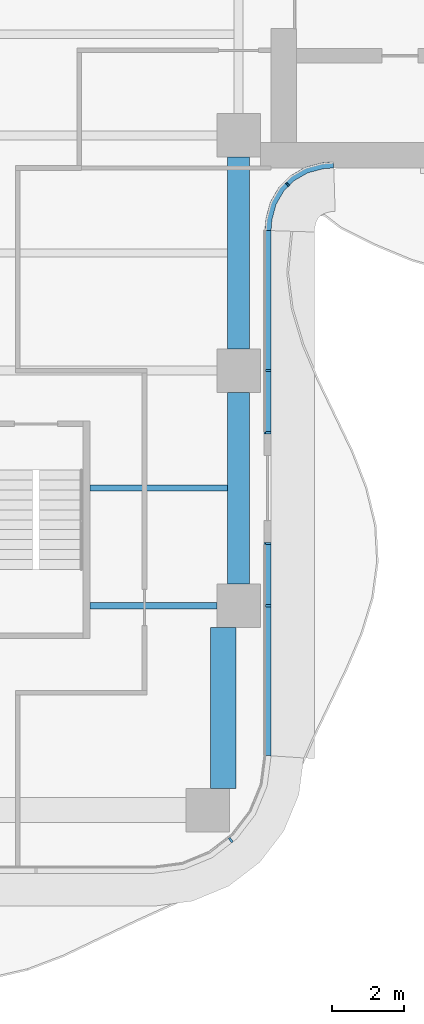
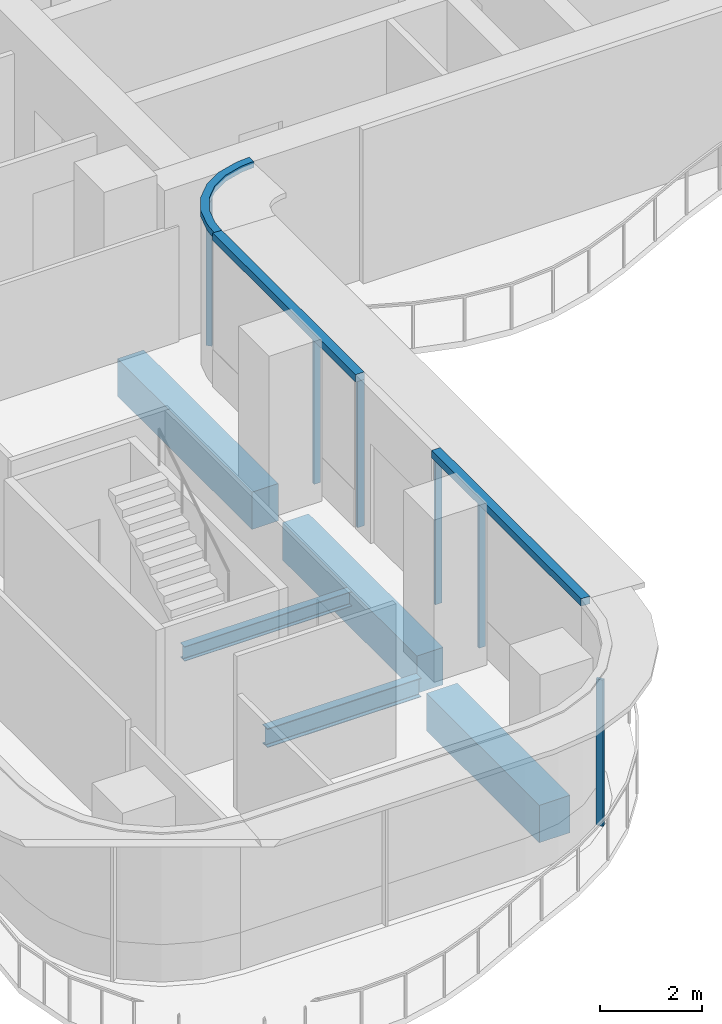
# One storey, part 5 of 17: 9 members, 5 beams, 4 elements without a shape of their own.
"""IFC4 building model written with IfcOpenShell, lengths in metres."""

from ifc_helpers import new_model, si_unit, direction, frame, origin, origin_2d, place, context, subcontext, project, spatial, polyline, rectangle, i_section, outline, extrude, source, transform, mapped, material, layer, layer_set, material_profile, profile_set, type_object, element, aggregate, save


model = new_model("IFC4")

# Units and contexts
model_context = context("Model", 3, precision=1e-05, world=origin(), true_north=direction((0.0, 1.0)))
body_context = subcontext(model_context, "Body", "Model", "MODEL_VIEW")
ifc_project = project(units=[si_unit("LENGTHUNIT", "METRE"), si_unit("AREAUNIT", "SQUARE_METRE"), si_unit("VOLUMEUNIT", "CUBIC_METRE"), si_unit("PLANEANGLEUNIT", "RADIAN"), si_unit("MASSUNIT", "GRAM", prefix="KILO")], contexts=[model_context])

# Site, building, storey
site_placement = place(None, origin())
site = spatial("IfcSite", under=ifc_project, at=site_placement, CompositionType="ELEMENT")
building_placement = place(site_placement, origin())
building = spatial("IfcBuilding", under=site, at=building_placement, Name="Trellis Farm Tower", CompositionType="ELEMENT")
storey_placement = place(building_placement, frame((0.0, 0.0, 165.89990234375)))
storey = spatial("IfcBuildingStorey", under=building, at=storey_placement, Name="L35", CompositionType="ELEMENT", Elevation=165.89990234375)

# Beams
ifc_material_1 = material(Name="Steel S355", Category="steel")
ifc_material_profile_1 = material_profile(ifc_material_1, i_section(OverallWidth=0.1904296875, OverallDepth=0.45703125, WebThickness=0.009033203125, FlangeThickness=0.014404296875, FilletRadius=0.01025390625, at=origin_2d()), Name="UB 457x191x74")
ifc_profile_set_1 = profile_set([ifc_material_profile_1], Name="Steel S355")
beam_type_1 = type_object("IfcBeamType", Name="UB 457x191x74", PredefinedType="BEAM", material=ifc_profile_set_1)
shared_shape_1 = source(origin(), body_context, "Body", "SweptSolid", [
    extrude(i_section(OverallWidth=0.1904296875, OverallDepth=0.45703125, WebThickness=0.009033203125, FlangeThickness=0.014404296875, FilletRadius=0.01025390625, at=origin_2d()), origin(), (0.0, 0.0, 1.0), 3.5),
])
beam_1_placement = place(storey_placement, frame((1.5, -18.60009765625, -0.428466796875), z_axis=(1.0, 0.0, 0.0), x_axis=(0.0, 1.0, 0.0)))
element("IfcBeam", 1, at=beam_1_placement, inside=storey, type_object=beam_type_1, Name="Girder", PredefinedType="BEAM", context=body_context, shape_type="MappedRepresentation", body=[
    mapped(shared_shape_1, transform((0.0, 0.0, 0.0))),
])
ifc_material_2 = material(Name="Concrete C60/75", Category="concrete")
ifc_material_profile_2 = material_profile(ifc_material_2, rectangle(XDim=0.60009765625, YDim=0.89990234375, at=origin_2d()), Name="RC spandrel beam 600x900 C60/75")
ifc_profile_set_2 = profile_set([ifc_material_profile_2], Name="Concrete C60/75")
beam_type_2 = type_object("IfcBeamType", Name="RC spandrel beam 600x900 C60/75", PredefinedType="SPANDREL", material=ifc_profile_set_2)
shared_shape_2 = source(origin(), body_context, "Body", "SweptSolid", [
    extrude(rectangle(XDim=0.60009765625, YDim=0.89990234375, at=origin_2d()), origin(), (0.0, 0.0, 1.0), 5.300048828125),
])
for number, where, z_axis, x_axis, name in (
    (2, (5.60009765625, -18.0, -0.64990234375), (0.0, 1.0, 0.0), (-1.0, 0.0, 0.0), "Girder"),
    (3, (5.60009765625, -11.5, -0.64990234375), (0.0, 1.0, 0.0), (-1.0, 0.0, 0.0), "Girder"),
):
    element("IfcBeam", number, at=place(storey_placement, frame(where, z_axis=z_axis, x_axis=x_axis)), inside=storey, type_object=beam_type_2, Name=name, PredefinedType="SPANDREL", context=body_context, shape_type="MappedRepresentation", body=[
        mapped(shared_shape_2, transform((0.0, 0.0, 0.0))),
    ])
ifc_material_profile_3 = material_profile(ifc_material_2, rectangle(XDim=0.699951171875, YDim=0.89990234375, at=origin_2d()), Name="RC spandrel beam 700x900 C60/75")
ifc_profile_set_3 = profile_set([ifc_material_profile_3], Name="Concrete C60/75")
beam_type_3 = type_object("IfcBeamType", Name="RC spandrel beam 700x900 C60/75", PredefinedType="SPANDREL", material=ifc_profile_set_3)
shared_shape_3 = source(origin(), body_context, "Body", "SweptSolid", [
    extrude(rectangle(XDim=0.699951171875, YDim=0.89990234375, at=origin_2d()), origin(), (0.0, 0.0, 1.0), 4.449951171875),
])
beam_2_placement = place(storey_placement, frame((5.175048828125, -23.64990234375, -0.64990234375), z_axis=(0.0, 1.0, 0.0), x_axis=(-1.0, 0.0, 0.0)))
element("IfcBeam", 4, at=beam_2_placement, inside=storey, type_object=beam_type_3, Name="Girder", PredefinedType="SPANDREL", context=body_context, shape_type="MappedRepresentation", body=[
    mapped(shared_shape_3, transform((0.0, 0.0, 0.0))),
])
ifc_material_profile_4 = material_profile(ifc_material_1, i_section(OverallWidth=0.17138671875, OverallDepth=0.35498046875, WebThickness=0.00732421875, FlangeThickness=0.011474609375, FilletRadius=0.01025390625, at=origin_2d()), Name="UB 356x171x51")
ifc_profile_set_4 = profile_set([ifc_material_profile_4], Name="Steel S355")
beam_type_4 = type_object("IfcBeamType", Name="UB 356x171x51 joist", PredefinedType="JOIST", material=ifc_profile_set_4)
shared_shape_4 = source(origin(), body_context, "Body", "SweptSolid", [
    extrude(i_section(OverallWidth=0.17138671875, OverallDepth=0.35498046875, WebThickness=0.00732421875, FlangeThickness=0.011474609375, FilletRadius=0.01025390625, at=origin_2d()), origin(), (0.0, 0.0, 1.0), 3.800048828125),
])
beam_3_placement = place(storey_placement, frame((1.5, -15.35009765625, -0.37744140625), z_axis=(1.0, 0.0, 0.0), x_axis=(0.0, 1.0, 0.0)))
element("IfcBeam", 5, at=beam_3_placement, inside=storey, type_object=beam_type_4, Name="Floor beam", PredefinedType="JOIST", context=body_context, shape_type="MappedRepresentation", body=[
    mapped(shared_shape_4, transform((0.0, 0.0, 0.0))),
])

# Curtain wall, member
ifc_material_3 = material(Name="Aluminium and glass curtain wall", Category="aluminium")
ifc_layer_1 = layer(ifc_material_3, 0.18994140625)
ifc_layer_set_1 = layer_set([ifc_layer_1], Name="RIBBON CURTAIN WALL CW1")
curtain_wall_type_1 = type_object("IfcCurtainWallType", Name="RIBBON CURTAIN WALL CW1", PredefinedType="NOTDEFINED", material=ifc_layer_set_1)
placement_1 = place(storey_placement, origin())
curtain_wall_1 = element("IfcCurtainWall", 6, at=placement_1, inside=storey, type_object=curtain_wall_type_1, Name="CW1 003", PredefinedType="NOTDEFINED")
ifc_material_4 = material(Name="Aluminium extrusion 6063-T6", Category="aluminium")
ifc_material_profile_5 = material_profile(ifc_material_4, rectangle(XDim=0.06005859375, YDim=0.14990234375, at=origin_2d()), Name="MULLION 60x150")
ifc_profile_set_5 = profile_set([ifc_material_profile_5], Name="Aluminium extrusion 6063-T6")
member_type_1 = type_object("IfcMemberType", Name="CW1 MULLION 60x150", PredefinedType="MULLION", material=ifc_profile_set_5)
shared_shape_5 = source(origin(), body_context, "Body", "SweptSolid", [
    extrude(rectangle(XDim=0.06005859375, YDim=0.14990234375, at=origin_2d()), origin(), (0.0, 0.0, 1.0), 3.52001953125),
])
member_1_placement = place(storey_placement, frame((5.385498046875, -25.078369140625, 0.0), z_axis=(0.0, 0.0, 1.0), x_axis=(0.793353340291, 0.608761429009, 0.0)))
member_1 = element("IfcMember", 7, at=member_1_placement, type_object=member_type_1, Name="MU1 003-02", PredefinedType="MULLION", context=body_context, shape_type="MappedRepresentation", body=[
    mapped(shared_shape_5, transform((0.0, 0.0, 0.0))),
])
aggregate(curtain_wall_1, [member_1])

# Curtain wall, members
curtain_wall_2 = element("IfcCurtainWall", 8, at=placement_1, inside=storey, type_object=curtain_wall_type_1, Name="CW1 004", PredefinedType="NOTDEFINED")
member_2_placement = place(storey_placement, frame((6.425048828125, -18.60009765625, 0.0), z_axis=(0.0, 0.0, 1.0), x_axis=(0.0, 1.0, 0.0)))
member_2 = element("IfcMember", 9, at=member_2_placement, type_object=member_type_1, Name="MU1 004-01", PredefinedType="MULLION", context=body_context, shape_type="MappedRepresentation", body=[
    mapped(shared_shape_5, transform((0.0, 0.0, 0.0))),
])
member_3_placement = place(storey_placement, frame((6.425048828125, -16.8798828125, 0.0), z_axis=(0.0, 0.0, 1.0), x_axis=(0.0, 1.0, 0.0)))
member_3 = element("IfcMember", 10, at=member_3_placement, type_object=member_type_1, Name="MU1 004-02", PredefinedType="MULLION", context=body_context, shape_type="MappedRepresentation", body=[
    mapped(shared_shape_5, transform((0.0, 0.0, 0.0))),
])

curtain_wall_3 = element("IfcCurtainWall", 11, at=placement_1, inside=storey, type_object=curtain_wall_type_1, Name="CW1 005", PredefinedType="NOTDEFINED")
member_4_placement = place(storey_placement, frame((6.425048828125, -13.820068359375, 0.0), z_axis=(0.0, 0.0, 1.0), x_axis=(0.0, 1.0, 0.0)))
member_4 = element("IfcMember", 12, at=member_4_placement, type_object=member_type_1, Name="MU1 005-01", PredefinedType="MULLION", context=body_context, shape_type="MappedRepresentation", body=[
    mapped(shared_shape_5, transform((0.0, 0.0, 0.0))),
])
member_5_placement = place(storey_placement, frame((6.425048828125, -12.10009765625, 0.0), z_axis=(0.0, 0.0, 1.0), x_axis=(0.0, 1.0, 0.0)))
member_5 = element("IfcMember", 13, at=member_5_placement, type_object=member_type_1, Name="MU1 005-02", PredefinedType="MULLION", context=body_context, shape_type="MappedRepresentation", body=[
    mapped(shared_shape_5, transform((0.0, 0.0, 0.0))),
])

ifc_layer_2 = layer(ifc_material_3, 0.166015625)
ifc_layer_set_2 = layer_set([ifc_layer_2], Name="WINTER GARDEN CURTAIN WALL CW3")
curtain_wall_type_2 = type_object("IfcCurtainWallType", Name="WINTER GARDEN CURTAIN WALL CW3", PredefinedType="NOTDEFINED", material=ifc_layer_set_2)
curtain_wall_4 = element("IfcCurtainWall", 14, at=placement_1, inside=storey, type_object=curtain_wall_type_2, Name="CW3 002", PredefinedType="NOTDEFINED")
ifc_material_profile_6 = material_profile(ifc_material_4, rectangle(XDim=0.050048828125, YDim=0.1201171875, at=origin_2d()), Name="MULLION 50x120")
ifc_profile_set_6 = profile_set([ifc_material_profile_6], Name="Aluminium extrusion 6063-T6")
member_type_2 = type_object("IfcMemberType", Name="CW3 MULLION 50x120", PredefinedType="MULLION", material=ifc_profile_set_6)
shared_shape_6 = source(origin(), body_context, "Body", "SweptSolid", [
    extrude(rectangle(XDim=0.050048828125, YDim=0.1201171875, at=origin_2d()), origin(), (0.0, 0.0, 1.0), 3.550048828125),
])
member_6_placement = place(storey_placement, frame((6.953125, -6.953125, 0.0), z_axis=(0.0, 0.0, 1.0), x_axis=(0.707106781187, 0.707106781187, 0.0)))
member_6 = element("IfcMember", 15, at=member_6_placement, type_object=member_type_2, Name="MU3 002-01", PredefinedType="MULLION", context=body_context, shape_type="MappedRepresentation", body=[
    mapped(shared_shape_6, transform((0.0, 0.0, 0.0))),
])
ifc_layer_3 = layer(ifc_material_4, 0.169921875)
ifc_layer_set_3 = layer_set([ifc_layer_3], Name="Aluminium extrusion 6063-T6")
member_type_3 = type_object("IfcMemberType", Name="CW3 TRANSOM 170x150", PredefinedType="USERDEFINED", material=ifc_layer_set_3)
shared_shape_7 = source(origin(), body_context, "Body", "SweptSolid", [
    extrude(outline(polyline([(6.5, -8.2314453125), (6.513916015625, -8.01953125), (6.527587890625, -7.91552734375), (6.63671875, -7.508544921875), (6.846923828125, -7.144287109375), (7.144287109375, -6.846923828125), (7.508544921875, -6.63671875), (7.91552734375, -6.527587890625), (8.01953125, -6.513916015625), (8.2314453125, -6.5), (8.225830078125, -6.330078125), (8.0029296875, -6.3447265625), (7.88232421875, -6.360595703125), (7.44287109375, -6.478271484375), (7.0400390625, -6.7109375), (6.7109375, -7.0400390625), (6.478271484375, -7.44287109375), (6.360595703125, -7.88232421875), (6.3447265625, -8.0029296875), (6.330078125, -8.225830078125), (6.5, -8.2314453125)])), origin(), (0.0, 0.0, 1.0), 0.150146484375),
])
member_7_placement = place(storey_placement, frame((0.0, 0.0, 3.550048828125)))
member_7 = element("IfcMember", 16, at=member_7_placement, type_object=member_type_3, Name="TR3 002", ObjectType="TRANSOM", PredefinedType="USERDEFINED", context=body_context, shape_type="MappedRepresentation", body=[
    mapped(shared_shape_7, transform((0.0, 0.0, 0.0))),
])
aggregate(curtain_wall_4, [member_6, member_7])

# Member
ifc_layer_4 = layer(ifc_material_4, 0.199951171875)
ifc_layer_set_4 = layer_set([ifc_layer_4], Name="Aluminium extrusion 6063-T6")
member_type_4 = type_object("IfcMemberType", Name="CW1 TRANSOM 200x180", PredefinedType="USERDEFINED", material=ifc_layer_set_4)
shared_shape_8 = source(origin(), body_context, "Body", "SweptSolid", [
    extrude(outline(polyline([(6.5, -22.75), (6.5, -16.85009765625), (6.300048828125, -16.85009765625), (6.300048828125, -22.73681640625), (6.5, -22.75)])), origin(), (0.0, 0.0, 1.0), 0.18017578125),
])
placement_2 = place(storey_placement, frame((0.0, 0.0, 3.52001953125)))
member_8 = element("IfcMember", 17, at=placement_2, type_object=member_type_4, Name="TR1 004", ObjectType="TRANSOM", PredefinedType="USERDEFINED", context=body_context, shape_type="MappedRepresentation", body=[
    mapped(shared_shape_8, transform((0.0, 0.0, 0.0))),
])

aggregate(curtain_wall_2, [member_2, member_3, member_8])

shared_shape_9 = source(origin(), body_context, "Body", "SweptSolid", [
    extrude(outline(polyline([(6.5, -13.85009765625), (6.5, -8.2314453125), (6.300048828125, -8.224853515625), (6.300048828125, -13.85009765625), (6.5, -13.85009765625)])), origin(), (0.0, 0.0, 1.0), 0.18017578125),
])
member_9 = element("IfcMember", 18, at=placement_2, type_object=member_type_4, Name="TR1 005", ObjectType="TRANSOM", PredefinedType="USERDEFINED", context=body_context, shape_type="MappedRepresentation", body=[
    mapped(shared_shape_9, transform((0.0, 0.0, 0.0))),
])

aggregate(curtain_wall_3, [member_4, member_5, member_9])

save(model, "model.ifc")
